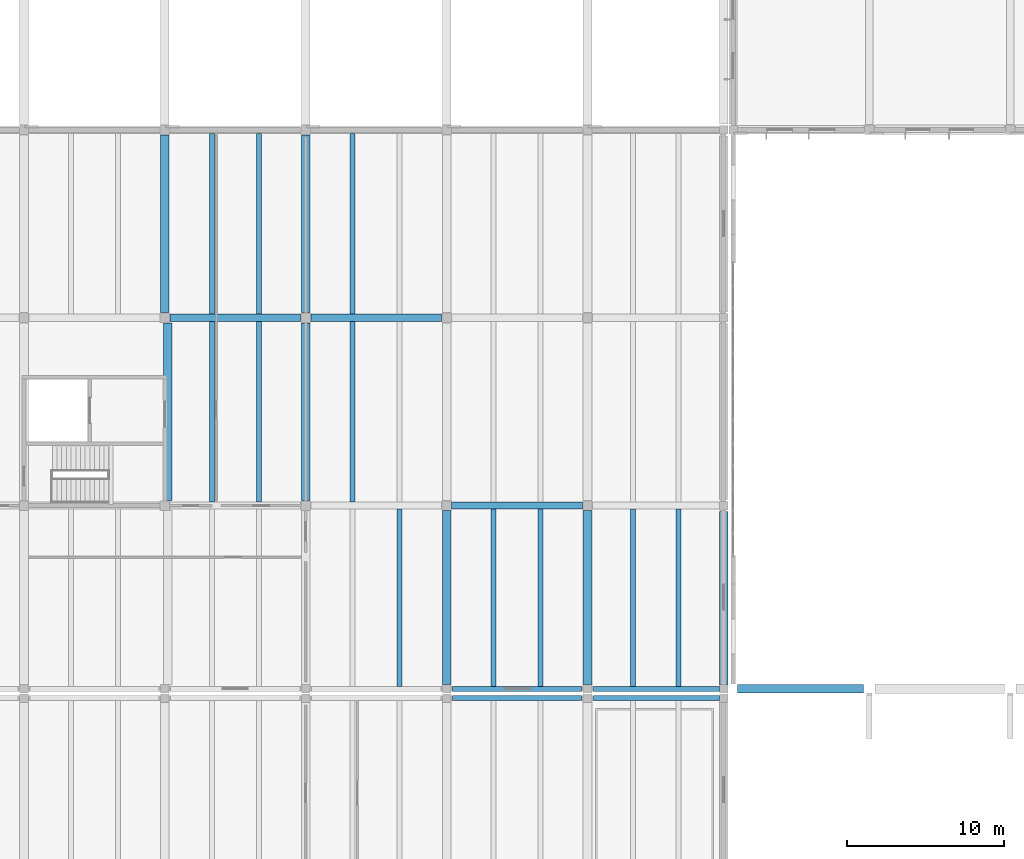
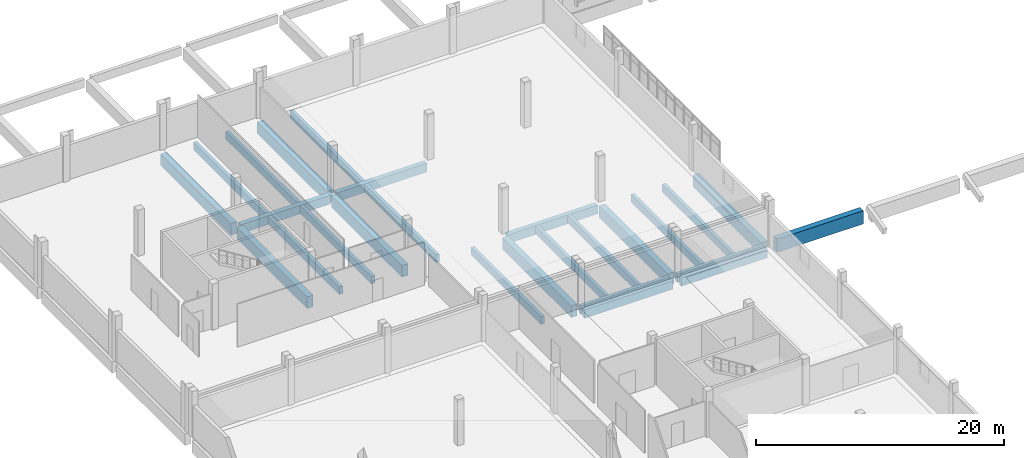
# One storey, part 9 of 63: 26 beams.
"""IFC4 building model written with IfcOpenShell, lengths in metres."""

from ifc_helpers import new_model, si_unit, direction, frame, origin, origin_2d, place, context, subcontext, project, spatial, rectangle, extrude, material, material_profile, profile_set, type_object, element, save


model = new_model("IFC4")

# Units and contexts
model_context = context("Model", 3, precision=1e-05, world=origin(), true_north=direction((0.0, 1.0)))
body_context = subcontext(model_context, "Body", "Model", "MODEL_VIEW")
ifc_project = project(units=[si_unit("LENGTHUNIT", "METRE"), si_unit("AREAUNIT", "SQUARE_METRE"), si_unit("VOLUMEUNIT", "CUBIC_METRE"), si_unit("PLANEANGLEUNIT", "RADIAN"), si_unit("MASSUNIT", "GRAM", prefix="KILO")], contexts=[model_context])

# Site, building, storey
site_placement = place(None, origin())
site = spatial("IfcSite", under=ifc_project, at=site_placement, CompositionType="ELEMENT")
building_placement = place(site_placement, origin())
building = spatial("IfcBuilding", under=site, at=building_placement, Name="Zacnel Wholesale Market", CompositionType="ELEMENT")
storey_placement = place(building_placement, frame((0.0, 0.0, 11.199951171875)))
storey = spatial("IfcBuildingStorey", under=building, at=storey_placement, Name="L03", CompositionType="ELEMENT", Elevation=11.199951171875)

# Beams
ifc_material_1 = material(Name="Precast concrete C45/55", Category="concrete")
ifc_material_profile_1 = material_profile(ifc_material_1, rectangle(XDim=0.320068359375, YDim=0.75, at=origin_2d()), Name="DT RIB 320x750")
ifc_profile_set_1 = profile_set([ifc_material_profile_1], Name="Precast concrete C45/55")
beam_type_1 = type_object("IfcBeamType", Name="BM-DT750", PredefinedType="JOIST", material=ifc_profile_set_1)
for number, where, z_axis, x_axis, name in (
    (1, (51.0, 96.4599609375, -0.675048828125), (0.0, 1.0, 0.0), (-1.0, 0.0, 0.0), "Precast secondary joist L03-0578"),
    (2, (57.0, 96.4599609375, -0.675048828125), (0.0, 1.0, 0.0), (-1.0, 0.0, 0.0), "Precast secondary joist L03-0579"),
    (3, (60.0, 96.4599609375, -0.675048828125), (0.0, 1.0, 0.0), (-1.0, 0.0, 0.0), "Precast secondary joist L03-0580"),
    (4, (65.89990234375, 96.4599609375, -0.675048828125), (0.0, 1.0, 0.0), (-1.0, 0.0, 0.0), "Precast secondary joist L03-0581"),
    (5, (68.800048828125, 96.4599609375, -0.675048828125), (0.0, 1.0, 0.0), (-1.0, 0.0, 0.0), "Precast secondary joist L03-0582"),
):
    element("IfcBeam", number, at=place(storey_placement, frame(where, z_axis=z_axis, x_axis=x_axis)), inside=storey, type_object=beam_type_1, Name=name, PredefinedType="JOIST", context=body_context, shape_type="SweptSolid", body=[
        extrude(rectangle(XDim=0.320068359375, YDim=0.75, at=origin_2d()), origin(), (0.0, 0.0, 1.0), 11.31494140625),
    ])
for number, where, z_axis, x_axis, name in (
    (6, (39.0, 108.22509765625, -0.675048828125), (0.0, 1.0, 0.0), (-1.0, 0.0, 0.0), "Precast secondary joist L03-0585"),
    (7, (42.0, 108.22509765625, -0.675048828125), (0.0, 1.0, 0.0), (-1.0, 0.0, 0.0), "Precast secondary joist L03-0586"),
    (8, (48.0, 108.22509765625, -0.675048828125), (0.0, 1.0, 0.0), (-1.0, 0.0, 0.0), "Precast secondary joist L03-0587"),
    (9, (39.0, 120.22509765625, -0.675048828125), (0.0, 1.0, 0.0), (-1.0, 0.0, 0.0), "Precast secondary joist L03-0597"),
    (10, (42.0, 120.22509765625, -0.675048828125), (0.0, 1.0, 0.0), (-1.0, 0.0, 0.0), "Precast secondary joist L03-0598"),
    (11, (48.0, 120.22509765625, -0.675048828125), (0.0, 1.0, 0.0), (-1.0, 0.0, 0.0), "Precast secondary joist L03-0599"),
):
    element("IfcBeam", number, at=place(storey_placement, frame(where, z_axis=z_axis, x_axis=x_axis)), inside=storey, type_object=beam_type_1, Name=name, PredefinedType="JOIST", context=body_context, shape_type="SweptSolid", body=[
        extrude(rectangle(XDim=0.320068359375, YDim=0.75, at=origin_2d()), origin(), (0.0, 0.0, 1.0), 11.5498046875),
    ])
ifc_material_2 = material(Name="Precast concrete C45/55", Category="concrete")
ifc_material_profile_2 = material_profile(ifc_material_2, rectangle(XDim=0.550048828125, YDim=1.14990234375, at=origin_2d()), Name="PG 550x1150")
ifc_profile_set_2 = profile_set([ifc_material_profile_2], Name="Precast concrete C45/55")
beam_type_2 = type_object("IfcBeamType", Name="BM-PG1150", PredefinedType="T_BEAM", material=ifc_profile_set_2)
for number, where, z_axis, x_axis, name in (
    (12, (36.179931640625, 108.324951171875, -0.875), (0.0, 1.0, 0.0), (-1.0, 0.0, 0.0), "Precast girder Y-0832"),
    (13, (36.0, 120.324951171875, -0.875), (0.0, 1.0, 0.0), (-1.0, 0.0, 0.0), "Precast girder Y-0833"),
    (14, (45.0, 108.324951171875, -0.875), (0.0, 1.0, 0.0), (-1.0, 0.0, 0.0), "Precast girder Y-0844"),
    (15, (45.0, 120.324951171875, -0.875), (0.0, 1.0, 0.0), (-1.0, 0.0, 0.0), "Precast girder Y-0845"),
):
    element("IfcBeam", number, at=place(storey_placement, frame(where, z_axis=z_axis, x_axis=x_axis)), inside=storey, type_object=beam_type_2, Name=name, PredefinedType="T_BEAM", context=body_context, shape_type="SweptSolid", body=[
        extrude(rectangle(XDim=0.550048828125, YDim=1.14990234375, at=origin_2d()), origin(), (0.0, 0.0, 1.0), 11.35009765625),
    ])
for number, where, z_axis, x_axis, name in (
    (16, (54.0, 96.574951171875, -0.875), (0.0, 1.0, 0.0), (-1.0, 0.0, 0.0), "Precast girder Y-0855"),
    (17, (63.0, 96.574951171875, -0.875), (0.0, 1.0, 0.0), (-1.0, 0.0, 0.0), "Precast girder Y-0867"),
):
    element("IfcBeam", number, at=place(storey_placement, frame(where, z_axis=z_axis, x_axis=x_axis)), inside=storey, type_object=beam_type_2, Name=name, PredefinedType="T_BEAM", context=body_context, shape_type="SweptSolid", body=[
        extrude(rectangle(XDim=0.550048828125, YDim=1.14990234375, at=origin_2d()), origin(), (0.0, 0.0, 1.0), 11.10009765625),
    ])
beam_1_placement = place(storey_placement, frame((71.699951171875, 96.574951171875, -0.875), z_axis=(0.0, 1.0, 0.0), x_axis=(-1.0, 0.0, 0.0)))
element("IfcBeam", 18, at=beam_1_placement, inside=storey, type_object=beam_type_2, Name="Precast girder Y-0879", PredefinedType="T_BEAM", context=body_context, shape_type="SweptSolid", body=[
    extrude(rectangle(XDim=0.550048828125, YDim=1.14990234375, at=origin_2d()), origin(), (0.0, 0.0, 1.0), 11.050048828125),
])
ifc_material_3 = material(Name="Precast concrete C45/55", Category="concrete")
ifc_material_profile_3 = material_profile(ifc_material_3, rectangle(XDim=0.449951171875, YDim=0.85009765625, at=origin_2d()), Name="PG 450x850")
ifc_profile_set_3 = profile_set([ifc_material_profile_3], Name="Precast concrete C45/55")
beam_type_3 = type_object("IfcBeamType", Name="BM-PG850", PredefinedType="BEAM", material=ifc_profile_set_3)
for number, where, z_axis, x_axis, name in (
    (19, (54.324951171875, 108.0, -0.724853515625), (1.0, 0.0, 0.0), (0.0, 1.0, 0.0), "Precast girder X-0753"),
    (20, (36.324951171875, 120.0, -0.724853515625), (1.0, 0.0, 0.0), (0.0, 1.0, 0.0), "Precast girder X-0757"),
    (21, (45.324951171875, 120.0, -0.724853515625), (1.0, 0.0, 0.0), (0.0, 1.0, 0.0), "Precast girder X-0758"),
):
    element("IfcBeam", number, at=place(storey_placement, frame(where, z_axis=z_axis, x_axis=x_axis)), inside=storey, type_object=beam_type_3, Name=name, PredefinedType="BEAM", context=body_context, shape_type="SweptSolid", body=[
        extrude(rectangle(XDim=0.449951171875, YDim=0.85009765625, at=origin_2d()), origin(), (0.0, 0.0, 1.0), 8.35009765625),
    ])
ifc_material_4 = material(Name="Concrete C40/50", Category="concrete")
ifc_material_profile_4 = material_profile(ifc_material_4, rectangle(XDim=0.550048828125, YDim=1.300048828125, at=origin_2d()), Name="PTB 550x1300")
ifc_profile_set_4 = profile_set([ifc_material_profile_4], Name="Concrete C40/50")
beam_type_4 = type_object("IfcBeamType", Name="BM-PTB1300", PredefinedType="BEAM", material=ifc_profile_set_4)
beam_2_placement = place(storey_placement, frame((72.574951171875, 96.300048828125, -0.64990234375), z_axis=(1.0, 0.0, 0.0), x_axis=(0.0, 1.0, 0.0)))
element("IfcBeam", 22, at=beam_2_placement, inside=storey, type_object=beam_type_4, Name="Precast girder X-0736", PredefinedType="BEAM", context=body_context, shape_type="SweptSolid", body=[
    extrude(rectangle(XDim=0.550048828125, YDim=1.300048828125, at=origin_2d()), origin(), (0.0, 0.0, 1.0), 8.050048828125),
])
ifc_material_5 = material(Name="Precast concrete C45/55", Category="concrete")
ifc_material_profile_5 = material_profile(ifc_material_5, rectangle(XDim=0.320068359375, YDim=0.820068359375, at=origin_2d()), Name="SP 320x820")
ifc_profile_set_5 = profile_set([ifc_material_profile_5], Name="Precast concrete C45/55")
beam_type_5 = type_object("IfcBeamType", Name="BM-SP820", PredefinedType="SPANDREL", material=ifc_profile_set_5)
beam_3_placement = place(storey_placement, frame((54.375, 95.699951171875, -0.7099609375), z_axis=(1.0, 0.0, 0.0), x_axis=(0.0, 1.0, 0.0)))
element("IfcBeam", 23, at=beam_3_placement, inside=storey, type_object=beam_type_5, Name="Precast girder X-0724", PredefinedType="SPANDREL", context=body_context, shape_type="SweptSolid", body=[
    extrude(rectangle(XDim=0.320068359375, YDim=0.820068359375, at=origin_2d()), origin(), (0.0, 0.0, 1.0), 8.25),
])
beam_4_placement = place(storey_placement, frame((63.375, 95.699951171875, -0.7099609375), z_axis=(1.0, 0.0, 0.0), x_axis=(0.0, 1.0, 0.0)))
element("IfcBeam", 24, at=beam_4_placement, inside=storey, type_object=beam_type_5, Name="Precast girder X-0725", PredefinedType="SPANDREL", context=body_context, shape_type="SweptSolid", body=[
    extrude(rectangle(XDim=0.320068359375, YDim=0.820068359375, at=origin_2d()), origin(), (0.0, 0.0, 1.0), 8.050048828125),
])
beam_5_placement = place(storey_placement, frame((54.375, 96.300048828125, -0.7099609375), z_axis=(1.0, 0.0, 0.0), x_axis=(0.0, 1.0, 0.0)))
element("IfcBeam", 25, at=beam_5_placement, inside=storey, type_object=beam_type_5, Name="Precast girder X-0734", PredefinedType="SPANDREL", context=body_context, shape_type="SweptSolid", body=[
    extrude(rectangle(XDim=0.320068359375, YDim=0.820068359375, at=origin_2d()), origin(), (0.0, 0.0, 1.0), 8.25),
])
beam_6_placement = place(storey_placement, frame((63.375, 96.300048828125, -0.7099609375), z_axis=(1.0, 0.0, 0.0), x_axis=(0.0, 1.0, 0.0)))
element("IfcBeam", 26, at=beam_6_placement, inside=storey, type_object=beam_type_5, Name="Precast girder X-0735", PredefinedType="SPANDREL", context=body_context, shape_type="SweptSolid", body=[
    extrude(rectangle(XDim=0.320068359375, YDim=0.820068359375, at=origin_2d()), origin(), (0.0, 0.0, 1.0), 8.050048828125),
])

save(model, "model.ifc")
